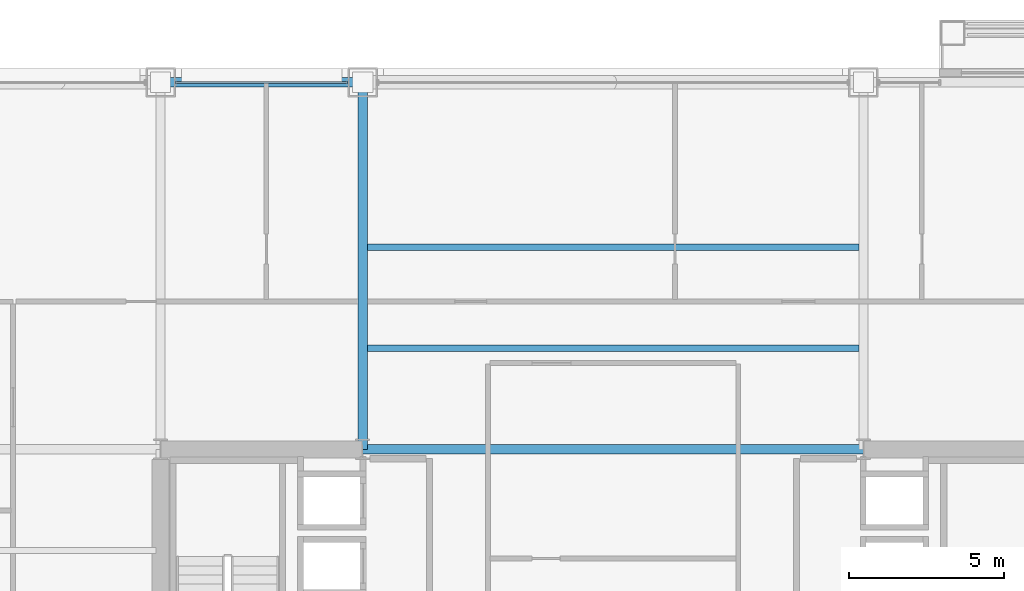
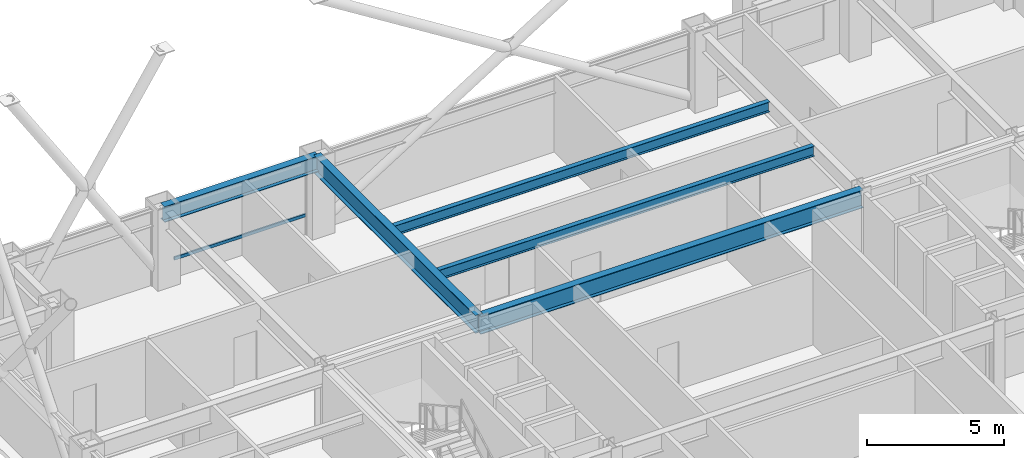
# One storey, part 20 of 34: 5 beams, 1 member, 1 element without a shape of its own.
"""IFC4 building model written with IfcOpenShell, lengths in metres."""

from ifc_helpers import new_model, si_unit, direction, frame, origin, origin_2d, place, context, subcontext, project, spatial, hollow_rectangle, i_section, extrude, material, layer, layer_set, material_profile, profile_set, type_object, element, aggregate, save


model = new_model("IFC4")

# Units and contexts
model_context = context("Model", 3, precision=1e-05, world=origin(), true_north=direction((0.0, 1.0)))
body_context = subcontext(model_context, "Body", "Model", "MODEL_VIEW")
ifc_project = project(units=[si_unit("LENGTHUNIT", "METRE"), si_unit("AREAUNIT", "SQUARE_METRE"), si_unit("VOLUMEUNIT", "CUBIC_METRE"), si_unit("PLANEANGLEUNIT", "RADIAN"), si_unit("MASSUNIT", "GRAM", prefix="KILO")], contexts=[model_context])

# Site, building, storey
site_placement = place(None, origin())
site = spatial("IfcSite", under=ifc_project, at=site_placement, CompositionType="ELEMENT")
building_placement = place(site_placement, origin())
building = spatial("IfcBuilding", under=site, at=building_placement, Name="Brelmoor Portico Tower", CompositionType="ELEMENT")
storey_placement = place(building_placement, frame((0.0, 0.0, 45.60009765625)))
storey = spatial("IfcBuildingStorey", under=building, at=storey_placement, Name="L11", CompositionType="ELEMENT", Elevation=45.60009765625)

# Beams
ifc_material_1 = material(Name="Steel Q355B", Category="steel")
ifc_material_profile_1 = material_profile(ifc_material_1, i_section(OverallWidth=0.199951171875, OverallDepth=0.449951171875, WebThickness=0.009033203125, FlangeThickness=0.013916015625, at=origin_2d()), Name="HN 450x200x9x14")
ifc_profile_set_1 = profile_set([ifc_material_profile_1], Name="Steel Q355B")
beam_type_1 = type_object("IfcBeamType", Name="BM-JS-450", PredefinedType="JOIST", material=ifc_profile_set_1)
for number, where, z_axis, x_axis, name in (
    (1, (-7.89990234375, 13.0, 3.1748046875), (1.0, 0.0, 0.0), (0.0, 1.0, 0.0), "L11 Secondary Composite Joist JS-C03"),
    (2, (-7.89990234375, 16.25, 3.1748046875), (1.0, 0.0, 0.0), (0.0, 1.0, 0.0), "L11 Secondary Composite Joist JS-C04"),
):
    element("IfcBeam", number, at=place(storey_placement, frame(where, z_axis=z_axis, x_axis=x_axis)), inside=storey, type_object=beam_type_1, Name=name, PredefinedType="JOIST", context=body_context, shape_type="SweptSolid", body=[
        extrude(i_section(OverallWidth=0.199951171875, OverallDepth=0.449951171875, WebThickness=0.009033203125, FlangeThickness=0.013916015625, at=origin_2d()), origin(), (0.0, 0.0, 1.0), 15.7998046875),
    ])
ifc_material_profile_2 = material_profile(ifc_material_1, i_section(OverallWidth=0.300048828125, OverallDepth=0.800048828125, WebThickness=0.013916015625, FlangeThickness=0.02587890625, at=origin_2d()), Name="HN 800x300x14x26")
ifc_profile_set_2 = profile_set([ifc_material_profile_2], Name="Steel Q355B")
beam_type_2 = type_object("IfcBeamType", Name="BM-PG-800", PredefinedType="BEAM", material=ifc_profile_set_2)
beam_1_placement = place(storey_placement, frame((-8.050048828125, 9.75, 3.0), z_axis=(0.0, 1.0, 0.0), x_axis=(-1.0, 0.0, 0.0)))
element("IfcBeam", 3, at=beam_1_placement, inside=storey, type_object=beam_type_2, Name="L11 Primary Floor Girder PG-08", PredefinedType="BEAM", context=body_context, shape_type="SweptSolid", body=[
    extrude(i_section(OverallWidth=0.300048828125, OverallDepth=0.800048828125, WebThickness=0.013916015625, FlangeThickness=0.02587890625, at=origin_2d()), origin(), (0.0, 0.0, 1.0), 11.800048828125),
])
beam_2_placement = place(storey_placement, frame((-8.050048828125, 9.75, 3.0), z_axis=(1.0, 0.0, 0.0), x_axis=(0.0, 1.0, 0.0)))
element("IfcBeam", 4, at=beam_2_placement, inside=storey, type_object=beam_type_2, Name="L11 Primary Floor Girder PG-29", PredefinedType="BEAM", context=body_context, shape_type="SweptSolid", body=[
    extrude(i_section(OverallWidth=0.300048828125, OverallDepth=0.800048828125, WebThickness=0.013916015625, FlangeThickness=0.02587890625, at=origin_2d()), origin(), (0.0, 0.0, 1.0), 16.10009765625),
])
ifc_material_profile_3 = material_profile(ifc_material_1, i_section(OverallWidth=0.300048828125, OverallDepth=0.699951171875, WebThickness=0.012939453125, FlangeThickness=0.02392578125, at=origin_2d()), Name="HN 700x300x13x24")
ifc_profile_set_3 = profile_set([ifc_material_profile_3], Name="Steel Q355B")
beam_type_3 = type_object("IfcBeamType", Name="BM-SP-700", PredefinedType="SPANDREL", material=ifc_profile_set_3)
beam_3_placement = place(storey_placement, frame((-14.550048828125, 21.550048828125, 3.0498046875), z_axis=(1.0, 0.0, 0.0), x_axis=(0.0, 1.0, 0.0)))
element("IfcBeam", 5, at=beam_3_placement, inside=storey, type_object=beam_type_3, Name="L11 Perimeter Spandrel Beam SP-11", PredefinedType="SPANDREL", context=body_context, shape_type="SweptSolid", body=[
    extrude(i_section(OverallWidth=0.300048828125, OverallDepth=0.699951171875, WebThickness=0.012939453125, FlangeThickness=0.02392578125, at=origin_2d()), origin(), (0.0, 0.0, 1.0), 6.5),
])

# Curtain wall, member
ifc_material_2 = material(Name="Anodised Aluminium Alloy 6063-T6", Category="aluminium")
ifc_layer = layer(ifc_material_2, 0.179931640625)
ifc_layer_set = layer_set([ifc_layer], Name="Anodised Aluminium Alloy 6063-T6")
curtain_wall_type = type_object("IfcCurtainWallType", Name="CW-TOWER-Z1", PredefinedType="NOTDEFINED", material=ifc_layer_set)
curtain_wall_placement = place(storey_placement, origin())
curtain_wall = element("IfcCurtainWall", 6, at=curtain_wall_placement, inside=storey, type_object=curtain_wall_type, Name="L11 Curtain Wall CW-L11-2L-2", PredefinedType="NOTDEFINED")
ifc_material_profile_4 = material_profile(ifc_material_2, hollow_rectangle(XDim=0.06494140625, YDim=0.139892578125, WallThickness=0.00390625, at=origin_2d()), Name="ALU TRANSOM 65x140")
ifc_profile_set_4 = profile_set([ifc_material_profile_4], Name="Anodised Aluminium Alloy 6063-T6")
member_type = type_object("IfcMemberType", Name="MB-CW-TRAN-140", PredefinedType="USERDEFINED", material=ifc_profile_set_4)
member_placement = place(storey_placement, frame((-14.06494140625, 21.550048828125, 0.849853515625), z_axis=(1.0, 0.0, 0.0), x_axis=(0.0, 1.0, 0.0)))
member = element("IfcMember", 7, at=member_placement, type_object=member_type, Name="CW-L11-2L-2 Transom 1-00", ObjectType="TRANSOM", PredefinedType="USERDEFINED", context=body_context, shape_type="SweptSolid", body=[
    extrude(hollow_rectangle(XDim=0.06494140625, YDim=0.139892578125, WallThickness=0.00390625, at=origin_2d()), origin(), (0.0, 0.0, 1.0), 5.530029296875),
])
aggregate(curtain_wall, [member])

save(model, "model.ifc")
